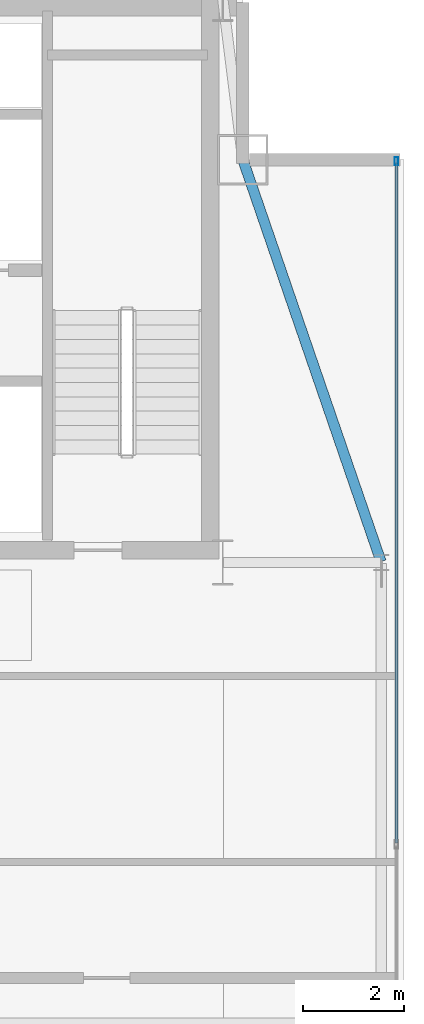
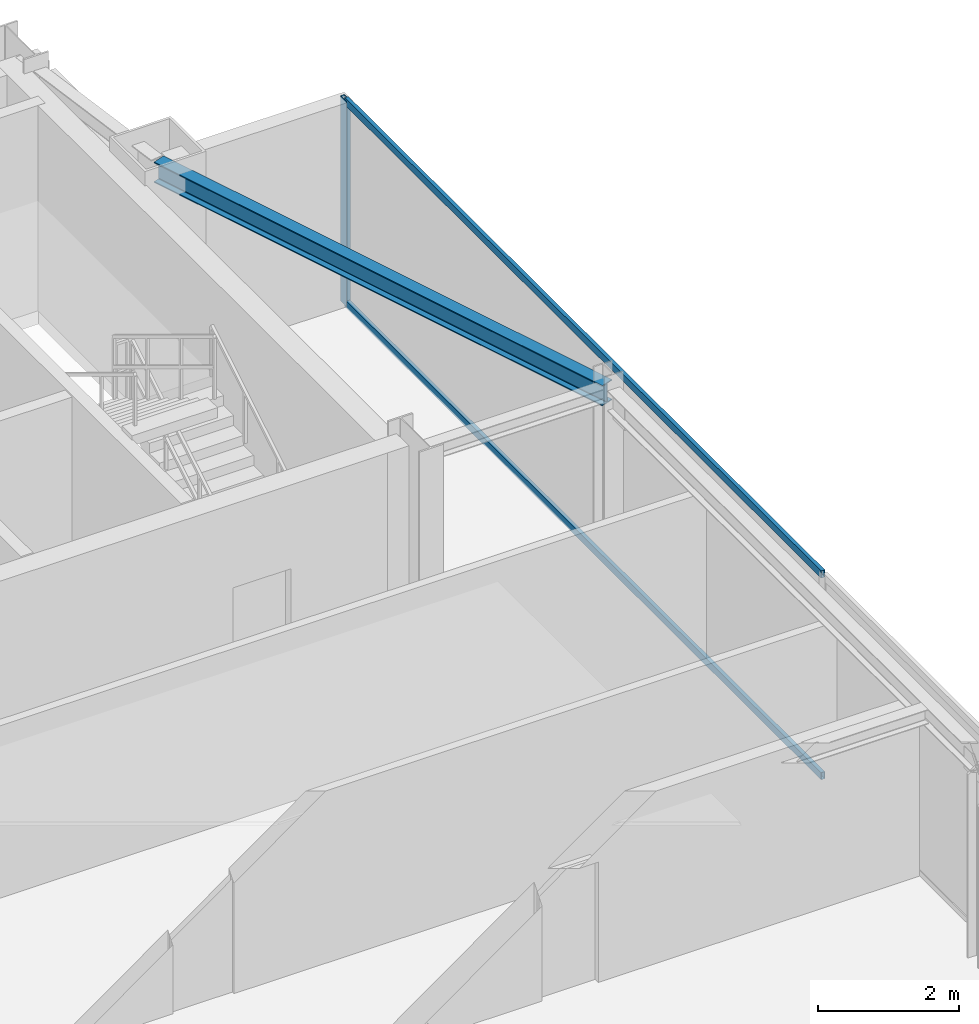
# One storey, part 17 of 24: 3 members, 1 beam, 1 element without a shape of its own.
"""IFC4 building model written with IfcOpenShell, lengths in metres."""

from ifc_helpers import new_model, si_unit, direction, frame, origin, origin_2d, place, context, subcontext, project, spatial, hollow_rectangle, i_section, extrude, source, transform, mapped, material, layer, layer_set, material_profile, profile_set, type_object, type_shapes, element, aggregate, save


model = new_model("IFC4")

# Units and contexts
model_context = context("Model", 3, precision=1e-05, world=origin(), true_north=direction((0.0, 1.0)))
body_context = subcontext(model_context, "Body", "Model", "MODEL_VIEW")
ifc_project = project(units=[si_unit("LENGTHUNIT", "METRE"), si_unit("AREAUNIT", "SQUARE_METRE"), si_unit("VOLUMEUNIT", "CUBIC_METRE"), si_unit("PLANEANGLEUNIT", "RADIAN"), si_unit("MASSUNIT", "GRAM", prefix="KILO")], contexts=[model_context])

# Site, building, storey
site_placement = place(None, origin())
site = spatial("IfcSite", under=ifc_project, at=site_placement, CompositionType="ELEMENT")
building_placement = place(site_placement, origin())
building = spatial("IfcBuilding", under=site, at=building_placement, Name="Varnel Quay Broadcast Tower", CompositionType="ELEMENT")
storey_placement = place(building_placement, frame((0.0, 0.0, 285.0)))
storey = spatial("IfcBuildingStorey", under=building, at=storey_placement, Name="L71", CompositionType="ELEMENT", Elevation=285.0)

# Beam
ifc_material_1 = material(Name="Structural Steel CSA G40.21 350W", Category="steel")
ifc_material_profile_1 = material_profile(ifc_material_1, i_section(OverallWidth=0.205078125, OverallDepth=0.35400390625, WebThickness=0.009521484375, FlangeThickness=0.016845703125, FilletRadius=0.012939453125, at=origin_2d()), Name="W360X79")
ifc_profile_set_1 = profile_set([ifc_material_profile_1], Name="Structural Steel CSA G40.21 350W")
beam_type = type_object("IfcBeamType", Name="Beam_W360X79", PredefinedType="SPANDREL", material=ifc_profile_set_1)
shared_shape_1 = source(origin(), body_context, "Body", "SweptSolid", [
    extrude(i_section(OverallWidth=0.205078125, OverallDepth=0.35400390625, WebThickness=0.009521484375, FlangeThickness=0.016845703125, FilletRadius=0.012939453125, at=origin_2d()), origin(), (0.0, 0.0, 1.0), 8.41943359375),
])
type_shapes(beam_type, [shared_shape_1])
beam_placement = place(storey_placement, frame((55.54345703125, 35.618896484375, 3.373046875), z_axis=(-0.325087062108, 0.945684092099, 0.0), x_axis=(-0.945684092099, -0.325087062108, 0.0)))
element("IfcBeam", 1, at=beam_placement, inside=storey, type_object=beam_type, Name="L71 East Spandrel TC-E2-MC-NE", PredefinedType="SPANDREL", context=body_context, shape_type="MappedRepresentation", body=[
    mapped(shared_shape_1, transform((0.0, 0.0, 0.0), x_axis=(1.0, 0.0, 0.0), y_axis=(0.0, 1.0, 0.0), z_axis=(0.0, 0.0, 1.0), scale=1.0)),
])

# Curtain wall, members
ifc_material_2 = material(Name="Anodised Bronze Aluminium 6063-T6", Category="aluminium")
ifc_layer = layer(ifc_material_2, 0.18994140625, Name="Anodised Bronze Aluminium 6063-T6")
ifc_layer_set = layer_set([ifc_layer], Name="Anodised Bronze Aluminium 6063-T6")
curtain_wall_type = type_object("IfcCurtainWallType", Name="CW_UpperTower", PredefinedType="NOTDEFINED", material=ifc_layer_set)
curtain_wall_placement = place(storey_placement, origin())
curtain_wall = element("IfcCurtainWall", 2, at=curtain_wall_placement, inside=storey, type_object=curtain_wall_type, Name="L71 East Unitised Curtain Wall", PredefinedType="NOTDEFINED")
ifc_material_profile_2 = material_profile(ifc_material_2, hollow_rectangle(XDim=0.06494140625, YDim=0.1650390625, WallThickness=0.00341796875, at=origin_2d()), Name="ALU65X165X3.5")
ifc_profile_set_2 = profile_set([ifc_material_profile_2], Name="Anodised Bronze Aluminium 6063-T6")
member_type_1 = type_object("IfcMemberType", Name="Mull_CWS-03", PredefinedType="MULLION", material=ifc_profile_set_2)
shared_shape_2 = source(origin(), body_context, "Body", "SweptSolid", [
    extrude(hollow_rectangle(XDim=0.06494140625, YDim=0.1650390625, WallThickness=0.00341796875, at=origin_2d()), origin(), (0.0, 0.0, 1.0), 3.550048828125),
])
type_shapes(member_type_1, [shared_shape_2])
member_1_placement = place(storey_placement, frame((55.85009765625, 43.5673828125, 0.0), z_axis=(0.0, 0.0, 1.0), x_axis=(-1.0, 0.0, 0.0)))
member_1 = element("IfcMember", 3, at=member_1_placement, type_object=member_type_1, Name="CWS-03 mullion 3", PredefinedType="MULLION", context=body_context, shape_type="MappedRepresentation", body=[
    mapped(shared_shape_2, transform((0.0, 0.0, 0.0), x_axis=(1.0, 0.0, 0.0), y_axis=(0.0, 1.0, 0.0), z_axis=(0.0, 0.0, 1.0), scale=1.0)),
])
ifc_material_profile_3 = material_profile(ifc_material_2, hollow_rectangle(XDim=0.06005859375, YDim=0.125, WallThickness=0.0029296875, at=origin_2d()), Name="ALU60X125X3")
ifc_profile_set_3 = profile_set([ifc_material_profile_3], Name="Anodised Bronze Aluminium 6063-T6")
member_type_2 = type_object("IfcMemberType", Name="Tran_CWS-03", PredefinedType="USERDEFINED", material=ifc_profile_set_3)
shared_shape_3 = source(origin(), body_context, "Body", "SweptSolid", [
    extrude(hollow_rectangle(XDim=0.06005859375, YDim=0.125, WallThickness=0.0029296875, at=origin_2d()), origin(), (0.0, 0.0, 1.0), 13.50244140625),
])
type_shapes(member_type_2, [shared_shape_3])
member_2_placement = place(storey_placement, frame((55.85009765625, 30.032470703125, 0.030029296875), z_axis=(0.0, 1.0, 0.0), x_axis=(-1.0, 0.0, 0.0)))
member_2 = element("IfcMember", 4, at=member_2_placement, type_object=member_type_2, Name="CWS-03 transom 2.1", ObjectType="TRANSOM", PredefinedType="USERDEFINED", context=body_context, shape_type="MappedRepresentation", body=[
    mapped(shared_shape_3, transform((0.0, 0.0, 0.0), x_axis=(1.0, 0.0, 0.0), y_axis=(0.0, 1.0, 0.0), z_axis=(0.0, 0.0, 1.0), scale=1.0)),
])
member_3_placement = place(storey_placement, frame((55.85009765625, 30.032470703125, 3.52001953125), z_axis=(0.0, 1.0, 0.0), x_axis=(-1.0, 0.0, 0.0)))
member_3 = element("IfcMember", 5, at=member_3_placement, type_object=member_type_2, Name="CWS-03 transom 2.2", ObjectType="TRANSOM", PredefinedType="USERDEFINED", context=body_context, shape_type="MappedRepresentation", body=[
    mapped(shared_shape_3, transform((0.0, 0.0, 0.0), x_axis=(1.0, 0.0, 0.0), y_axis=(0.0, 1.0, 0.0), z_axis=(0.0, 0.0, 1.0), scale=1.0)),
])
aggregate(curtain_wall, [member_1, member_2, member_3])

save(model, "model.ifc")
